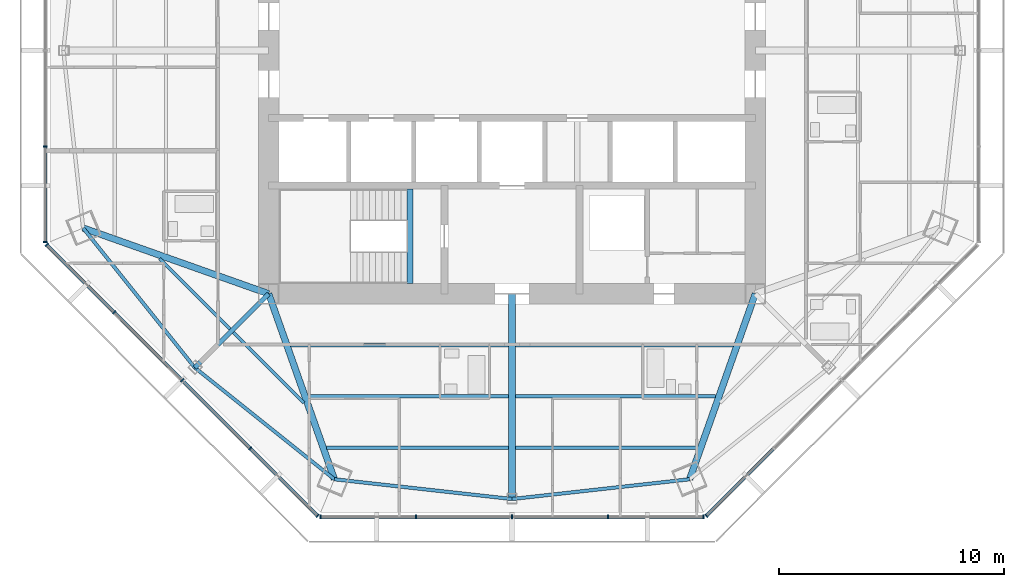
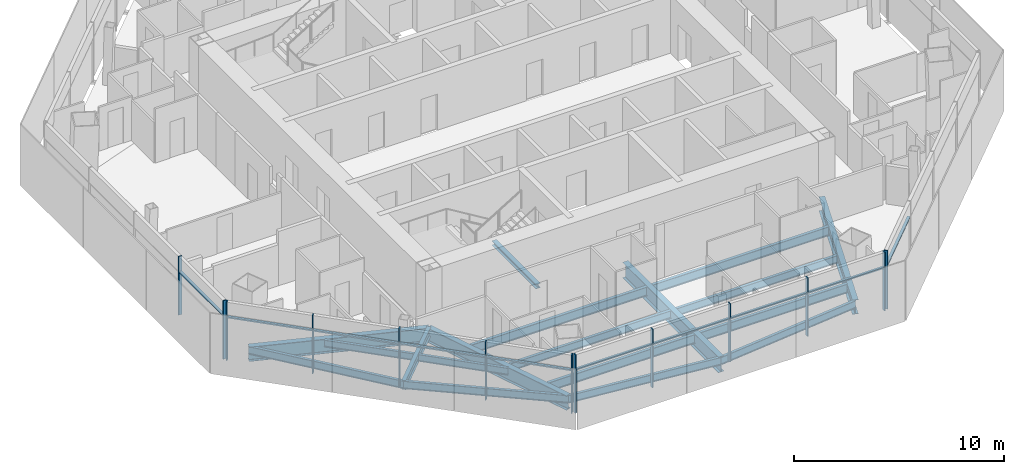
# One storey, part 2 of 15: 23 members, 18 beams, 4 elements without a shape of their own.
"""IFC4 building model written with IfcOpenShell, lengths in metres."""

from ifc_helpers import new_model, si_unit, direction, frame, origin, origin_2d, place, context, subcontext, project, spatial, rectangle, i_section, extrude, source, transform, mapped, material, material_profile, profile_set, type_object, type_shapes, element, aggregate, save


model = new_model("IFC4")

# Units and contexts
model_context = context("Model", 3, precision=1e-05, world=origin(), true_north=direction((0.0, 1.0)))
body_context = subcontext(model_context, "Body", "Model", "MODEL_VIEW")
ifc_project = project(units=[si_unit("LENGTHUNIT", "METRE"), si_unit("AREAUNIT", "SQUARE_METRE"), si_unit("VOLUMEUNIT", "CUBIC_METRE"), si_unit("PLANEANGLEUNIT", "RADIAN"), si_unit("MASSUNIT", "GRAM", prefix="KILO")], contexts=[model_context])

# Site, building, storey
site_placement = place(None, origin())
site = spatial("IfcSite", under=ifc_project, at=site_placement, CompositionType="ELEMENT")
building_placement = place(site_placement, origin())
building = spatial("IfcBuilding", under=site, at=building_placement, Name="Mashrafa Tower", CompositionType="ELEMENT")
storey_placement = place(building_placement, frame((0.0, 0.0, 258.39990234375)))
storey = spatial("IfcBuildingStorey", under=building, at=storey_placement, Name="L62", CompositionType="ELEMENT", Elevation=258.39990234375)

# Beams
ifc_material_1 = material(Name="Steel ASTM A992", Category="steel")
ifc_material_profile_1 = material_profile(ifc_material_1, i_section(OverallWidth=0.140380859375, OverallDepth=0.40380859375, WebThickness=0.007080078125, FlangeThickness=0.01123046875, FilletRadius=0.01025390625, at=origin_2d()), Name="W16X31")
ifc_profile_set_1 = profile_set([ifc_material_profile_1], Name="Steel ASTM A992")
beam_type_1 = type_object("IfcBeamType", Name="Beam W16X31", PredefinedType="BEAM", material=ifc_profile_set_1)
for number, where, z_axis, x_axis, name in (
    (1, (-12.513427734375, -12.365478515625, -0.40185546875), (-0.707106781187, 0.707106781187, 0.0), (-0.707106781187, -0.707106781187, 0.0), "Floor beam L62 008"),
    (2, (-9.240966796875, -15.637939453125, -0.40185546875), (-0.707106781187, 0.707106781187, 0.0), (-0.707106781187, -0.707106781187, 0.0), "Floor beam L62 012"),
):
    element("IfcBeam", number, at=place(storey_placement, frame(where, z_axis=z_axis, x_axis=x_axis)), inside=storey, type_object=beam_type_1, Name=name, PredefinedType="BEAM", context=body_context, shape_type="SweptSolid", body=[
        extrude(i_section(OverallWidth=0.140380859375, OverallDepth=0.40380859375, WebThickness=0.007080078125, FlangeThickness=0.01123046875, FilletRadius=0.01025390625, at=origin_2d()), origin(), (0.0, 0.0, 1.0), 4.418701171875),
    ])
ifc_material_2 = material(Name="Steel ASTM A992", Category="steel")
ifc_material_profile_2 = material_profile(ifc_material_2, i_section(OverallWidth=0.15234375, OverallDepth=0.449462890625, WebThickness=0.007568359375, FlangeThickness=0.0107421875, FilletRadius=0.01025390625, at=origin_2d()), Name="W18X35")
ifc_profile_set_2 = profile_set([ifc_material_profile_2], Name="Steel ASTM A992")
beam_type_2 = type_object("IfcBeamType", Name="Beam W18X35", PredefinedType="BEAM", material=ifc_profile_set_2)
for number, where, z_axis, x_axis, name in (
    (3, (-0.15234375, -15.355224609375, -0.4248046875), (-1.0, 0.0, 0.0), (0.0, -1.0, 0.0), "Floor beam L62 015"),
    (4, (9.03125, -15.355224609375, -0.4248046875), (-1.0, 0.0, 0.0), (0.0, -1.0, 0.0), "Floor beam L62 022"),
):
    element("IfcBeam", number, at=place(storey_placement, frame(where, z_axis=z_axis, x_axis=x_axis)), inside=storey, type_object=beam_type_2, Name=name, PredefinedType="BEAM", context=body_context, shape_type="SweptSolid", body=[
        extrude(i_section(OverallWidth=0.15234375, OverallDepth=0.449462890625, WebThickness=0.007568359375, FlangeThickness=0.0107421875, FilletRadius=0.01025390625, at=origin_2d()), origin(), (0.0, 0.0, 1.0), 8.87890625),
    ])
for number, where, z_axis, x_axis, name in (
    (5, (-19.032470703125, -7.883544921875, -0.4248046875), (0.624492339939, -0.781030932395, 0.0), (0.781030932395, 0.624492339939, 0.0), "Spandrel beam L62 050"),
    (6, (-14.078857421875, -14.078857421875, -0.4248046875), (0.781030932395, -0.624492339939, 0.0), (0.624492339939, 0.781030932395, 0.0), "Spandrel beam L62 052"),
):
    element("IfcBeam", number, at=place(storey_placement, frame(where, z_axis=z_axis, x_axis=x_axis)), inside=storey, type_object=beam_type_2, Name=name, PredefinedType="BEAM", context=body_context, shape_type="SweptSolid", body=[
        extrude(i_section(OverallWidth=0.15234375, OverallDepth=0.449462890625, WebThickness=0.007568359375, FlangeThickness=0.0107421875, FilletRadius=0.01025390625, at=origin_2d()), origin(), (0.0, 0.0, 1.0), 7.93212890625),
    ])
for number, where, z_axis, x_axis, name in (
    (7, (-7.883544921875, -19.032470703125, -0.4248046875), (0.993852918056, -0.110708523931, 0.0), (0.110708523931, 0.993852918056, 0.0), "Spandrel beam L62 054"),
    (8, (0.0, -19.91064453125, -0.4248046875), (0.993852918056, 0.110708523931, 0.0), (-0.110708523931, 0.993852918056, 0.0), "Spandrel beam L62 056"),
):
    element("IfcBeam", number, at=place(storey_placement, frame(where, z_axis=z_axis, x_axis=x_axis)), inside=storey, type_object=beam_type_2, Name=name, PredefinedType="BEAM", context=body_context, shape_type="SweptSolid", body=[
        extrude(i_section(OverallWidth=0.15234375, OverallDepth=0.449462890625, WebThickness=0.007568359375, FlangeThickness=0.0107421875, FilletRadius=0.01025390625, at=origin_2d()), origin(), (0.0, 0.0, 1.0), 7.932373046875),
    ])
ifc_material_3 = material(Name="Steel ASTM A992", Category="steel")
ifc_material_profile_3 = material_profile(ifc_material_3, i_section(OverallWidth=0.165771484375, OverallDepth=0.5283203125, WebThickness=0.009765625, FlangeThickness=0.013671875, FilletRadius=0.012939453125, at=origin_2d()), Name="W21X50")
ifc_profile_set_3 = profile_set([ifc_material_profile_3], Name="Steel ASTM A992")
beam_type_3 = type_object("IfcBeamType", Name="Beam W21X50", PredefinedType="BEAM", material=ifc_profile_set_3)
beam_1_placement = place(storey_placement, frame((-0.15234375, -17.633056640625, -0.464111328125), z_axis=(-1.0, 0.0, 0.0), x_axis=(0.0, -1.0, 0.0)))
element("IfcBeam", 9, at=beam_1_placement, inside=storey, type_object=beam_type_3, Name="Floor beam L62 014", PredefinedType="BEAM", context=body_context, shape_type="SweptSolid", body=[
    extrude(i_section(OverallWidth=0.165771484375, OverallDepth=0.5283203125, WebThickness=0.009765625, FlangeThickness=0.013671875, FilletRadius=0.012939453125, at=origin_2d()), origin(), (0.0, 0.0, 1.0), 8.072021484375),
])
beam_2_placement = place(storey_placement, frame((-0.15234375, -13.07763671875, -0.464111328125), z_axis=(-1.0, 0.0, 0.0), x_axis=(0.0, -1.0, 0.0)))
element("IfcBeam", 10, at=beam_2_placement, inside=storey, type_object=beam_type_3, Name="Floor beam L62 016", PredefinedType="BEAM", context=body_context, shape_type="SweptSolid", body=[
    extrude(i_section(OverallWidth=0.165771484375, OverallDepth=0.5283203125, WebThickness=0.009765625, FlangeThickness=0.013671875, FilletRadius=0.012939453125, at=origin_2d()), origin(), (0.0, 0.0, 1.0), 9.685791015625),
])
beam_3_placement = place(storey_placement, frame((8.224365234375, -17.633056640625, -0.464111328125), z_axis=(-1.0, 0.0, 0.0), x_axis=(0.0, -1.0, 0.0)))
element("IfcBeam", 11, at=beam_3_placement, inside=storey, type_object=beam_type_3, Name="Floor beam L62 020", PredefinedType="BEAM", context=body_context, shape_type="SweptSolid", body=[
    extrude(i_section(OverallWidth=0.165771484375, OverallDepth=0.5283203125, WebThickness=0.009765625, FlangeThickness=0.013671875, FilletRadius=0.012939453125, at=origin_2d()), origin(), (0.0, 0.0, 1.0), 8.072021484375),
])
beam_4_placement = place(storey_placement, frame((9.838134765625, -13.07763671875, -0.464111328125), z_axis=(-1.0, 0.0, 0.0), x_axis=(0.0, -1.0, 0.0)))
element("IfcBeam", 12, at=beam_4_placement, inside=storey, type_object=beam_type_3, Name="Floor beam L62 023", PredefinedType="BEAM", context=body_context, shape_type="SweptSolid", body=[
    extrude(i_section(OverallWidth=0.165771484375, OverallDepth=0.5283203125, WebThickness=0.009765625, FlangeThickness=0.013671875, FilletRadius=0.012939453125, at=origin_2d()), origin(), (0.0, 0.0, 1.0), 9.685791015625),
])
ifc_material_4 = material(Name="Steel ASTM A992", Category="steel")
ifc_material_profile_4 = material_profile(ifc_material_4, i_section(OverallWidth=0.209228515625, OverallDepth=0.533447265625, WebThickness=0.01025390625, FlangeThickness=0.015625, FilletRadius=0.012939453125, at=origin_2d()), Name="W21X62")
ifc_profile_set_4 = profile_set([ifc_material_profile_4], Name="Steel ASTM A992")
beam_type_4 = type_object("IfcBeamType", Name="Beam W21X62", PredefinedType="BEAM", material=ifc_profile_set_4)
beam_5_placement = place(storey_placement, frame((-10.800048828125, -10.800048828125, -0.466552734375), z_axis=(-0.707106781187, -0.707106781187, 0.0), x_axis=(0.707106781187, -0.707106781187, 0.0)))
element("IfcBeam", 13, at=beam_5_placement, inside=storey, type_object=beam_type_4, Name="Radial girder L62 034", PredefinedType="BEAM", context=body_context, shape_type="SweptSolid", body=[
    extrude(i_section(OverallWidth=0.209228515625, OverallDepth=0.533447265625, WebThickness=0.01025390625, FlangeThickness=0.015625, FilletRadius=0.012939453125, at=origin_2d()), origin(), (0.0, 0.0, 1.0), 4.636962890625),
])
ifc_material_5 = material(Name="Steel ASTM A992", Category="steel")
ifc_material_profile_5 = material_profile(ifc_material_5, i_section(OverallWidth=0.2919921875, OverallDepth=0.8408203125, WebThickness=0.0146484375, FlangeThickness=0.021728515625, FilletRadius=0.017333984375, at=origin_2d()), Name="W33X130")
ifc_profile_set_5 = profile_set([ifc_material_profile_5], Name="Steel ASTM A992")
beam_type_5 = type_object("IfcBeamType", Name="Beam W33X130", PredefinedType="BEAM", material=ifc_profile_set_5)
for number, where, z_axis, x_axis, name in (
    (14, (-10.800048828125, -10.800048828125, -0.620361328125), (-0.942596432271, 0.333934074137, 0.0), (-0.333934074137, -0.942596432271, 0.0), "Radial girder L62 033"),
    (15, (-10.800048828125, -10.800048828125, -0.620361328125), (0.333934074137, -0.942596432271, 0.0), (0.942596432271, 0.333934074137, 0.0), "Radial girder L62 035"),
    (16, (10.800048828125, -10.800048828125, -0.620361328125), (-0.333934074137, -0.942596432271, 0.0), (0.942596432271, -0.333934074137, 0.0), "Radial girder L62 042"),
):
    element("IfcBeam", number, at=place(storey_placement, frame(where, z_axis=z_axis, x_axis=x_axis)), inside=storey, type_object=beam_type_5, Name=name, PredefinedType="BEAM", context=body_context, shape_type="SweptSolid", body=[
        extrude(i_section(OverallWidth=0.2919921875, OverallDepth=0.8408203125, WebThickness=0.0146484375, FlangeThickness=0.021728515625, FilletRadius=0.017333984375, at=origin_2d()), origin(), (0.0, 0.0, 1.0), 8.73388671875),
    ])
ifc_material_6 = material(Name="Steel ASTM A992", Category="steel")
ifc_material_profile_6 = material_profile(ifc_material_6, i_section(OverallWidth=0.3046875, OverallDepth=0.911865234375, WebThickness=0.015869140625, FlangeThickness=0.02392578125, FilletRadius=0.01904296875, at=origin_2d()), Name="W36X150")
ifc_profile_set_6 = profile_set([ifc_material_profile_6], Name="Steel ASTM A992")
beam_type_6 = type_object("IfcBeamType", Name="Beam W36X150", PredefinedType="BEAM", material=ifc_profile_set_6)
beam_6_placement = place(storey_placement, frame((0.0, -10.800048828125, -0.65576171875), z_axis=(0.0, -1.0, 0.0), x_axis=(1.0, 0.0, 0.0)))
element("IfcBeam", 17, at=beam_6_placement, inside=storey, type_object=beam_type_6, Name="Radial girder L62 040", PredefinedType="BEAM", context=body_context, shape_type="SweptSolid", body=[
    extrude(i_section(OverallWidth=0.3046875, OverallDepth=0.911865234375, WebThickness=0.015869140625, FlangeThickness=0.02392578125, FilletRadius=0.01904296875, at=origin_2d()), origin(), (0.0, 0.0, 1.0), 9.110595703125),
])
ifc_material_7 = material(Name="Steel ASTM A992", Category="steel")
ifc_material_profile_7 = material_profile(ifc_material_7, i_section(OverallWidth=0.25390625, OverallDepth=0.25390625, WebThickness=0.008544921875, FlangeThickness=0.01416015625, FilletRadius=0.010009765625, at=origin_2d()), Name="W10X49")
ifc_profile_set_7 = profile_set([ifc_material_profile_7], Name="Steel ASTM A992")
beam_type_7 = type_object("IfcBeamType", Name="Hoistway beam W10X49", PredefinedType="BEAM", material=ifc_profile_set_7)
beam_7_placement = place(storey_placement, frame((-4.530029296875, -10.35009765625, -0.326904296875), z_axis=(0.0, 1.0, 0.0), x_axis=(-1.0, 0.0, 0.0)))
element("IfcBeam", 18, at=beam_7_placement, inside=storey, type_object=beam_type_7, Name="Stair S3 landing beam L62", PredefinedType="BEAM", context=body_context, shape_type="SweptSolid", body=[
    extrude(i_section(OverallWidth=0.25390625, OverallDepth=0.25390625, WebThickness=0.008544921875, FlangeThickness=0.01416015625, FilletRadius=0.010009765625, at=origin_2d()), origin(), (0.0, 0.0, 1.0), 4.2001953125),
])

# Curtain wall, members
ifc_material_8 = material(Name="Unitised aluminium curtain wall", Category="aluminium")
curtain_wall_type = type_object("IfcCurtainWallType", Name="Apartment curtain wall, zone 3 CW-C 180 deep", PredefinedType="NOTDEFINED", material=ifc_material_8)
curtain_wall_1_placement = place(storey_placement, origin())
curtain_wall_1 = element("IfcCurtainWall", 19, at=curtain_wall_1_placement, inside=storey, type_object=curtain_wall_type, Name="Apartment curtain wall, zone 3 L62 west", PredefinedType="NOTDEFINED")
ifc_material_9 = material(Name="Extruded aluminium mullion", Category="aluminium")
ifc_material_profile_8 = material_profile(ifc_material_9, rectangle(XDim=0.179931640625, YDim=0.06005859375, at=origin_2d()), Name="Mullion 60x180")
ifc_profile_set_8 = profile_set([ifc_material_profile_8], Name="Extruded aluminium mullion")
member_type_1 = type_object("IfcMemberType", Name="Mullion CW-C 60 x 180", PredefinedType="MULLION", material=ifc_profile_set_8)
shared_shape_1 = source(origin(), body_context, "Body", "SweptSolid", [
    extrude(rectangle(XDim=0.179931640625, YDim=0.06005859375, at=origin_2d()), origin(), (0.0, 0.0, 1.0), 3.400146484375),
])
type_shapes(member_type_1, [shared_shape_1])
member_1_placement = place(storey_placement, frame((-20.704833984375, -4.264404296875, 0.0), z_axis=(0.0, 0.0, 1.0), x_axis=(1.0, 0.0, 0.0)))
member_1 = element("IfcMember", 20, at=member_1_placement, type_object=member_type_1, Name="CW-C mullion 4", PredefinedType="MULLION", context=body_context, shape_type="MappedRepresentation", body=[
    mapped(shared_shape_1, transform((0.0, 0.0, 0.0))),
])
member_2_placement = place(storey_placement, frame((-20.704833984375, -8.4990234375, 0.0), z_axis=(0.0, 0.0, 1.0), x_axis=(1.0, 0.0, 0.0)))
member_2 = element("IfcMember", 21, at=member_2_placement, type_object=member_type_1, Name="CW-C mullion 5", PredefinedType="MULLION", context=body_context, shape_type="MappedRepresentation", body=[
    mapped(shared_shape_1, transform((0.0, 0.0, 0.0))),
])

curtain_wall_2_placement = place(storey_placement, origin())
curtain_wall_2 = element("IfcCurtainWall", 22, at=curtain_wall_2_placement, inside=storey, type_object=curtain_wall_type, Name="Apartment curtain wall, zone 3 L62 south-west", PredefinedType="NOTDEFINED")
member_3_placement = place(storey_placement, frame((-20.650390625, -8.630859375, 0.0), z_axis=(0.0, 0.0, 1.0), x_axis=(0.707106781187, 0.707106781187, 0.0)))
member_3 = element("IfcMember", 23, at=member_3_placement, type_object=member_type_1, Name="CW-C mullion 1", PredefinedType="MULLION", context=body_context, shape_type="MappedRepresentation", body=[
    mapped(shared_shape_1, transform((0.0, 0.0, 0.0))),
])
member_4_placement = place(storey_placement, frame((-17.656005859375, -11.625244140625, 0.0), z_axis=(0.0, 0.0, 1.0), x_axis=(0.707106781187, 0.707106781187, 0.0)))
member_4 = element("IfcMember", 24, at=member_4_placement, type_object=member_type_1, Name="CW-C mullion 2", PredefinedType="MULLION", context=body_context, shape_type="MappedRepresentation", body=[
    mapped(shared_shape_1, transform((0.0, 0.0, 0.0))),
])
member_5_placement = place(storey_placement, frame((-14.640625, -14.640625, 0.0), z_axis=(0.0, 0.0, 1.0), x_axis=(0.707106781187, 0.707106781187, 0.0)))
member_5 = element("IfcMember", 25, at=member_5_placement, type_object=member_type_1, Name="CW-C mullion 3", PredefinedType="MULLION", context=body_context, shape_type="MappedRepresentation", body=[
    mapped(shared_shape_1, transform((0.0, 0.0, 0.0))),
])
member_6_placement = place(storey_placement, frame((-11.625244140625, -17.656005859375, 0.0), z_axis=(0.0, 0.0, 1.0), x_axis=(0.707106781187, 0.707106781187, 0.0)))
member_6 = element("IfcMember", 26, at=member_6_placement, type_object=member_type_1, Name="CW-C mullion 4", PredefinedType="MULLION", context=body_context, shape_type="MappedRepresentation", body=[
    mapped(shared_shape_1, transform((0.0, 0.0, 0.0))),
])
member_7_placement = place(storey_placement, frame((-8.630859375, -20.650390625, 0.0), z_axis=(0.0, 0.0, 1.0), x_axis=(0.707106781187, 0.707106781187, 0.0)))
member_7 = element("IfcMember", 27, at=member_7_placement, type_object=member_type_1, Name="CW-C mullion 5", PredefinedType="MULLION", context=body_context, shape_type="MappedRepresentation", body=[
    mapped(shared_shape_1, transform((0.0, 0.0, 0.0))),
])

curtain_wall_3_placement = place(storey_placement, origin())
curtain_wall_3 = element("IfcCurtainWall", 28, at=curtain_wall_3_placement, inside=storey, type_object=curtain_wall_type, Name="Apartment curtain wall, zone 3 L62 south", PredefinedType="NOTDEFINED")
member_8_placement = place(storey_placement, frame((-8.4990234375, -20.704833984375, 0.0), z_axis=(0.0, 0.0, 1.0), x_axis=(0.0, 1.0, 0.0)))
member_8 = element("IfcMember", 29, at=member_8_placement, type_object=member_type_1, Name="CW-C mullion 1", PredefinedType="MULLION", context=body_context, shape_type="MappedRepresentation", body=[
    mapped(shared_shape_1, transform((0.0, 0.0, 0.0))),
])
member_9_placement = place(storey_placement, frame((-4.264404296875, -20.704833984375, 0.0), z_axis=(0.0, 0.0, 1.0), x_axis=(0.0, 1.0, 0.0)))
member_9 = element("IfcMember", 30, at=member_9_placement, type_object=member_type_1, Name="CW-C mullion 2", PredefinedType="MULLION", context=body_context, shape_type="MappedRepresentation", body=[
    mapped(shared_shape_1, transform((0.0, 0.0, 0.0))),
])
member_10_placement = place(storey_placement, frame((0.0, -20.704833984375, 0.0), z_axis=(0.0, 0.0, 1.0), x_axis=(0.0, 1.0, 0.0)))
member_10 = element("IfcMember", 31, at=member_10_placement, type_object=member_type_1, Name="CW-C mullion 3", PredefinedType="MULLION", context=body_context, shape_type="MappedRepresentation", body=[
    mapped(shared_shape_1, transform((0.0, 0.0, 0.0))),
])
member_11_placement = place(storey_placement, frame((4.264404296875, -20.704833984375, 0.0), z_axis=(0.0, 0.0, 1.0), x_axis=(0.0, 1.0, 0.0)))
member_11 = element("IfcMember", 32, at=member_11_placement, type_object=member_type_1, Name="CW-C mullion 4", PredefinedType="MULLION", context=body_context, shape_type="MappedRepresentation", body=[
    mapped(shared_shape_1, transform((0.0, 0.0, 0.0))),
])
member_12_placement = place(storey_placement, frame((8.4990234375, -20.704833984375, 0.0), z_axis=(0.0, 0.0, 1.0), x_axis=(0.0, 1.0, 0.0)))
member_12 = element("IfcMember", 33, at=member_12_placement, type_object=member_type_1, Name="CW-C mullion 5", PredefinedType="MULLION", context=body_context, shape_type="MappedRepresentation", body=[
    mapped(shared_shape_1, transform((0.0, 0.0, 0.0))),
])

# Curtain wall, member
curtain_wall_4_placement = place(storey_placement, origin())
curtain_wall_4 = element("IfcCurtainWall", 34, at=curtain_wall_4_placement, inside=storey, type_object=curtain_wall_type, Name="Apartment curtain wall, zone 3 L62 south-east", PredefinedType="NOTDEFINED")
member_13_placement = place(storey_placement, frame((8.630859375, -20.650390625, 0.0), z_axis=(0.0, 0.0, 1.0), x_axis=(-0.707106781187, 0.707106781187, 0.0)))
member_13 = element("IfcMember", 35, at=member_13_placement, type_object=member_type_1, Name="CW-C mullion 1", PredefinedType="MULLION", context=body_context, shape_type="MappedRepresentation", body=[
    mapped(shared_shape_1, transform((0.0, 0.0, 0.0))),
])

# Member
ifc_material_10 = material(Name="Extruded aluminium transom", Category="aluminium")
ifc_material_profile_9 = material_profile(ifc_material_10, rectangle(XDim=0.14404296875, YDim=0.074951171875, at=origin_2d()), Name="Transom 75x144")
ifc_profile_set_9 = profile_set([ifc_material_profile_9], Name="Extruded aluminium transom")
member_type_2 = type_object("IfcMemberType", Name="Transom CW-C 75 x 144", PredefinedType="MULLION", material=ifc_profile_set_9)
shared_shape_2 = source(origin(), body_context, "Body", "SweptSolid", [
    extrude(rectangle(XDim=0.14404296875, YDim=0.074951171875, at=origin_2d()), origin(), (0.0, 0.0, 1.0), 4.174560546875),
])
member_14_placement = place(storey_placement, frame((-20.704833984375, -4.29443359375, 2.5), z_axis=(0.0, -1.0, 0.0), x_axis=(1.0, 0.0, 0.0)))
member_14 = element("IfcMember", 36, at=member_14_placement, type_object=member_type_2, Name="CW-C transom 4", PredefinedType="MULLION", context=body_context, shape_type="MappedRepresentation", body=[
    mapped(shared_shape_2, transform((0.0, 0.0, 0.0))),
])

aggregate(curtain_wall_1, [member_1, member_2, member_14])

member_15_placement = place(storey_placement, frame((-20.629150390625, -8.652099609375, 2.5), z_axis=(0.707106781187, -0.707106781187, 0.0), x_axis=(0.707106781187, 0.707106781187, 0.0)))
member_15 = element("IfcMember", 37, at=member_15_placement, type_object=member_type_2, Name="CW-C transom 1", PredefinedType="MULLION", context=body_context, shape_type="MappedRepresentation", body=[
    mapped(shared_shape_2, transform((0.0, 0.0, 0.0))),
])

member_16_placement = place(storey_placement, frame((-11.60400390625, -17.67724609375, 2.5), z_axis=(0.707106781187, -0.707106781187, 0.0), x_axis=(0.707106781187, 0.707106781187, 0.0)))
member_16 = element("IfcMember", 38, at=member_16_placement, type_object=member_type_2, Name="CW-C transom 4", PredefinedType="MULLION", context=body_context, shape_type="MappedRepresentation", body=[
    mapped(shared_shape_2, transform((0.0, 0.0, 0.0))),
])

member_17_placement = place(storey_placement, frame((-8.468994140625, -20.704833984375, 2.5), z_axis=(1.0, 0.0, 0.0), x_axis=(0.0, 1.0, 0.0)))
member_17 = element("IfcMember", 39, at=member_17_placement, type_object=member_type_2, Name="CW-C transom 1", PredefinedType="MULLION", context=body_context, shape_type="MappedRepresentation", body=[
    mapped(shared_shape_2, transform((0.0, 0.0, 0.0))),
])

member_18_placement = place(storey_placement, frame((4.29443359375, -20.704833984375, 2.5), z_axis=(1.0, 0.0, 0.0), x_axis=(0.0, 1.0, 0.0)))
member_18 = element("IfcMember", 40, at=member_18_placement, type_object=member_type_2, Name="CW-C transom 4", PredefinedType="MULLION", context=body_context, shape_type="MappedRepresentation", body=[
    mapped(shared_shape_2, transform((0.0, 0.0, 0.0))),
])

member_19_placement = place(storey_placement, frame((8.652099609375, -20.629150390625, 2.5), z_axis=(0.707106781187, 0.707106781187, 0.0), x_axis=(-0.707106781187, 0.707106781187, 0.0)))
member_19 = element("IfcMember", 41, at=member_19_placement, type_object=member_type_2, Name="CW-C transom 1", PredefinedType="MULLION", context=body_context, shape_type="MappedRepresentation", body=[
    mapped(shared_shape_2, transform((0.0, 0.0, 0.0))),
])

aggregate(curtain_wall_4, [member_13, member_19])

shared_shape_3 = source(origin(), body_context, "Body", "SweptSolid", [
    extrude(rectangle(XDim=0.14404296875, YDim=0.074951171875, at=origin_2d()), origin(), (0.0, 0.0, 1.0), 4.204345703125),
])
type_shapes(member_type_2, [shared_shape_2, shared_shape_3])
member_20_placement = place(storey_placement, frame((-17.634765625, -11.646484375, 2.5), z_axis=(0.707106781187, -0.707106781187, 0.0), x_axis=(0.707106781187, 0.707106781187, 0.0)))
member_20 = element("IfcMember", 42, at=member_20_placement, type_object=member_type_2, Name="CW-C transom 2", PredefinedType="MULLION", context=body_context, shape_type="MappedRepresentation", body=[
    mapped(shared_shape_3, transform((0.0, 0.0, 0.0))),
])

member_21_placement = place(storey_placement, frame((-14.619384765625, -14.661865234375, 2.5), z_axis=(0.707106781187, -0.707106781187, 0.0), x_axis=(0.707106781187, 0.707106781187, 0.0)))
member_21 = element("IfcMember", 43, at=member_21_placement, type_object=member_type_2, Name="CW-C transom 3", PredefinedType="MULLION", context=body_context, shape_type="MappedRepresentation", body=[
    mapped(shared_shape_3, transform((0.0, 0.0, 0.0))),
])

aggregate(curtain_wall_2, [member_3, member_4, member_5, member_6, member_7, member_15, member_20, member_21, member_16])

member_22_placement = place(storey_placement, frame((-4.234375, -20.704833984375, 2.5), z_axis=(1.0, 0.0, 0.0), x_axis=(0.0, 1.0, 0.0)))
member_22 = element("IfcMember", 44, at=member_22_placement, type_object=member_type_2, Name="CW-C transom 2", PredefinedType="MULLION", context=body_context, shape_type="MappedRepresentation", body=[
    mapped(shared_shape_3, transform((0.0, 0.0, 0.0))),
])

member_23_placement = place(storey_placement, frame((0.030029296875, -20.704833984375, 2.5), z_axis=(1.0, 0.0, 0.0), x_axis=(0.0, 1.0, 0.0)))
member_23 = element("IfcMember", 45, at=member_23_placement, type_object=member_type_2, Name="CW-C transom 3", PredefinedType="MULLION", context=body_context, shape_type="MappedRepresentation", body=[
    mapped(shared_shape_3, transform((0.0, 0.0, 0.0))),
])

aggregate(curtain_wall_3, [member_8, member_9, member_10, member_11, member_12, member_17, member_22, member_23, member_18])

save(model, "model.ifc")
